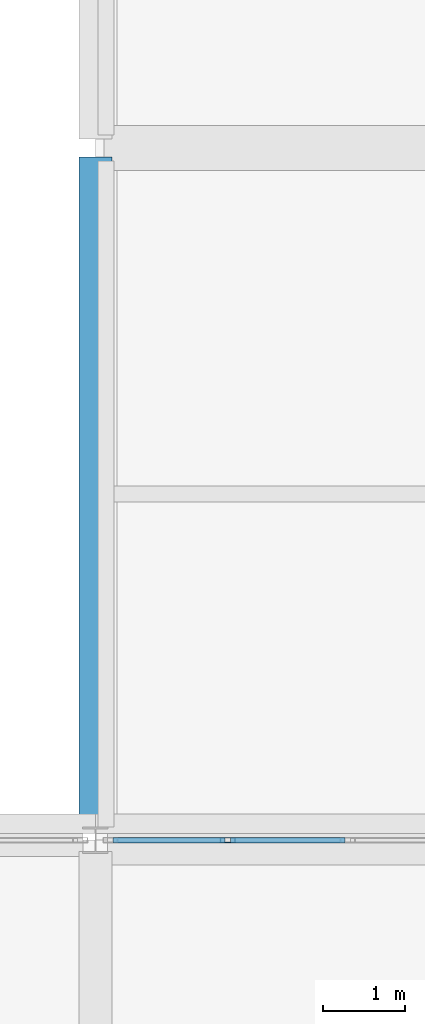
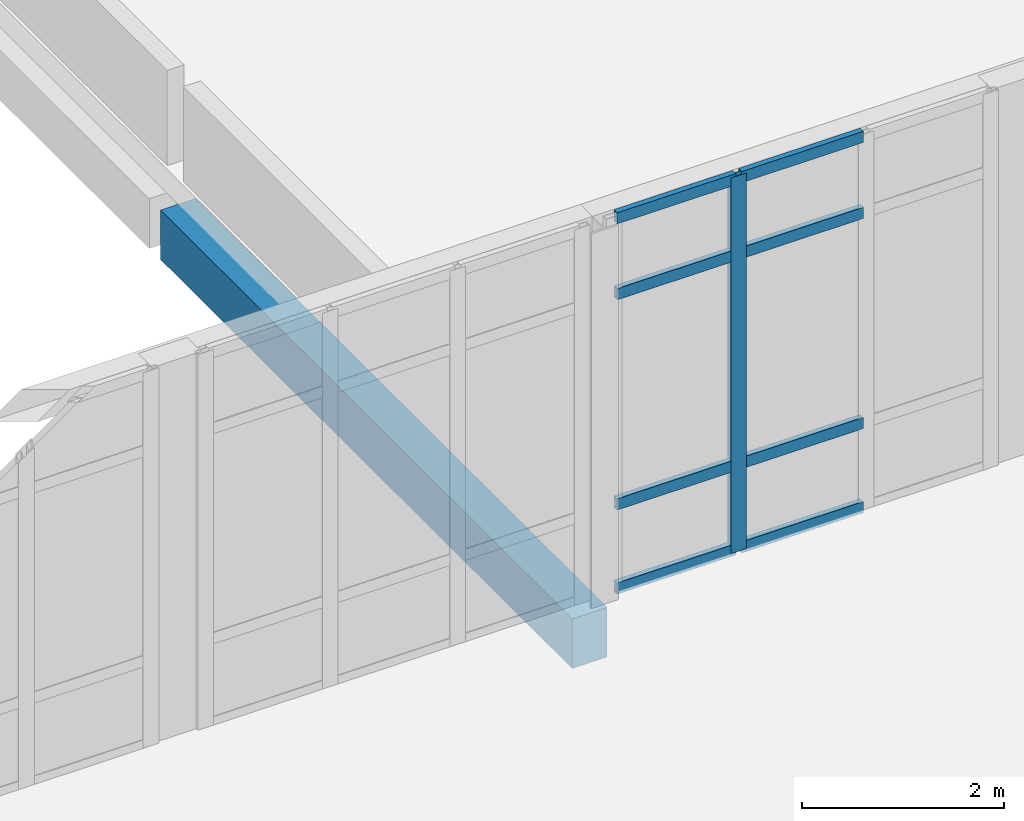
# One storey, part 15 of 88: 9 members, 1 beam, 1 element without a shape of its own.
"""IFC4 building model written with IfcOpenShell, lengths in metres."""

from ifc_helpers import new_model, si_unit, direction, frame, origin, origin_2d, place, context, subcontext, project, spatial, rectangle, hollow_rectangle, extrude, material, layer, layer_set, material_profile, profile_set, type_object, element, aggregate, save


model = new_model("IFC4")

# Units and contexts
model_context = context("Model", 3, precision=1e-05, world=origin(), true_north=direction((0.0, 1.0)))
body_context = subcontext(model_context, "Body", "Model", "MODEL_VIEW")
ifc_project = project(units=[si_unit("LENGTHUNIT", "METRE"), si_unit("AREAUNIT", "SQUARE_METRE"), si_unit("VOLUMEUNIT", "CUBIC_METRE"), si_unit("PLANEANGLEUNIT", "RADIAN"), si_unit("MASSUNIT", "GRAM", prefix="KILO")], contexts=[model_context])

# Site, building, storey
site_placement = place(None, origin())
site = spatial("IfcSite", under=ifc_project, at=site_placement, CompositionType="ELEMENT")
building_placement = place(site_placement, origin())
building = spatial("IfcBuilding", under=site, at=building_placement, Name="Lornevale Opera House", CompositionType="ELEMENT")
storey_placement = place(building_placement, frame((0.0, 0.0, 10.199951171875)))
storey = spatial("IfcBuildingStorey", under=building, at=storey_placement, Name="L03", CompositionType="ELEMENT", Elevation=10.199951171875)

# Beam
ifc_material_1 = material(Name="Concrete 35 MPa (CSA A23.1 N)", Category="concrete")
ifc_material_profile_1 = material_profile(ifc_material_1, rectangle(XDim=0.39990234375, YDim=0.60009765625, at=origin_2d()), Name="RC400x600")
ifc_profile_set_1 = profile_set([ifc_material_profile_1], Name="Concrete 35 MPa (CSA A23.1 N)")
beam_type = type_object("IfcBeamType", Name="Concrete Spandrel Beam 400x600", PredefinedType="SPANDREL", material=ifc_profile_set_1)
beam_placement = place(storey_placement, frame((28.800048828125, 25.33740234375, -0.58984375), z_axis=(0.0, 1.0, 0.0), x_axis=(-1.0, 0.0, 0.0)))
element("IfcBeam", 1, at=beam_placement, inside=storey, type_object=beam_type, Name="Concrete Spandrel Beam 400x600 2248", PredefinedType="SPANDREL", context=body_context, shape_type="SweptSolid", body=[
    extrude(rectangle(XDim=0.39990234375, YDim=0.60009765625, at=origin_2d()), origin(), (0.0, 0.0, 1.0), 8.151123046875),
])

# Curtain wall, members
ifc_material_2 = material(Name="Anodized Oxide-Green Aluminium Framing", Category="aluminium")
ifc_layer = layer(ifc_material_2, 0.175048828125)
ifc_layer_set = layer_set([ifc_layer], Name="Anodized Oxide-Green Aluminium Framing")
curtain_wall_type = type_object("IfcCurtainWallType", Name="Chamber Cloister Curtain Wall M1700", PredefinedType="NOTDEFINED", material=ifc_layer_set)
curtain_wall_placement = place(storey_placement, origin())
curtain_wall = element("IfcCurtainWall", 2, at=curtain_wall_placement, inside=storey, type_object=curtain_wall_type, Name="Chamber Cloister Curtain Wall M1700 CW-122", PredefinedType="NOTDEFINED")
ifc_material_profile_2 = material_profile(ifc_material_2, hollow_rectangle(XDim=0.06494140625, YDim=0.179931640625, WallThickness=0.0048828125, at=origin_2d()), Name="ALU65x180x5")
ifc_profile_set_2 = profile_set([ifc_material_profile_2], Name="Anodized Oxide-Green Aluminium Framing")
member_type_1 = type_object("IfcMemberType", Name="Curtain Wall Mullion 65x180", PredefinedType="MULLION", material=ifc_profile_set_2)
member_1_placement = place(storey_placement, frame((30.406982421875, 25.199951171875, 0.0), z_axis=(0.0, 0.0, 1.0), x_axis=(0.0, 1.0, 0.0)))
member_1 = element("IfcMember", 3, at=member_1_placement, type_object=member_type_1, Name="Curtain Wall Mullion 65x180 CW2531", PredefinedType="MULLION", context=body_context, shape_type="SweptSolid", body=[
    extrude(hollow_rectangle(XDim=0.06494140625, YDim=0.179931640625, WallThickness=0.0048828125, at=origin_2d()), origin(), (0.0, 0.0, 1.0), 4.5400390625),
])
ifc_material_profile_3 = material_profile(ifc_material_2, hollow_rectangle(XDim=0.06494140625, YDim=0.135009765625, WallThickness=0.00390625, at=origin_2d()), Name="ALU65x135x4")
ifc_profile_set_3 = profile_set([ifc_material_profile_3], Name="Anodized Oxide-Green Aluminium Framing")
member_type_2 = type_object("IfcMemberType", Name="Curtain Wall Transom 65x135", PredefinedType="USERDEFINED", material=ifc_profile_set_3)
member_2_placement = place(storey_placement, frame((29.015380859375, 25.199951171875, 0.032470703125), z_axis=(1.0, 0.0, 0.0), x_axis=(0.0, 1.0, 0.0)))
member_2 = element("IfcMember", 4, at=member_2_placement, type_object=member_type_2, Name="Curtain Wall Transom 65x135 CW2534", ObjectType="TRANSOM", PredefinedType="USERDEFINED", context=body_context, shape_type="SweptSolid", body=[
    extrude(hollow_rectangle(XDim=0.06494140625, YDim=0.135009765625, WallThickness=0.00390625, at=origin_2d()), origin(), (0.0, 0.0, 1.0), 1.359130859375),
])
member_3_placement = place(storey_placement, frame((29.015380859375, 25.199951171875, 1.050048828125), z_axis=(1.0, 0.0, 0.0), x_axis=(0.0, 1.0, 0.0)))
member_3 = element("IfcMember", 5, at=member_3_placement, type_object=member_type_2, Name="Curtain Wall Transom 65x135 CW2535", ObjectType="TRANSOM", PredefinedType="USERDEFINED", context=body_context, shape_type="SweptSolid", body=[
    extrude(hollow_rectangle(XDim=0.06494140625, YDim=0.135009765625, WallThickness=0.00390625, at=origin_2d()), origin(), (0.0, 0.0, 1.0), 1.359130859375),
])
member_4_placement = place(storey_placement, frame((29.015380859375, 25.199951171875, 3.590087890625), z_axis=(1.0, 0.0, 0.0), x_axis=(0.0, 1.0, 0.0)))
member_4 = element("IfcMember", 6, at=member_4_placement, type_object=member_type_2, Name="Curtain Wall Transom 65x135 CW2536", ObjectType="TRANSOM", PredefinedType="USERDEFINED", context=body_context, shape_type="SweptSolid", body=[
    extrude(hollow_rectangle(XDim=0.06494140625, YDim=0.135009765625, WallThickness=0.00390625, at=origin_2d()), origin(), (0.0, 0.0, 1.0), 1.359130859375),
])
member_5_placement = place(storey_placement, frame((29.015380859375, 25.199951171875, 4.507568359375), z_axis=(1.0, 0.0, 0.0), x_axis=(0.0, 1.0, 0.0)))
member_5 = element("IfcMember", 7, at=member_5_placement, type_object=member_type_2, Name="Curtain Wall Transom 65x135 CW2537", ObjectType="TRANSOM", PredefinedType="USERDEFINED", context=body_context, shape_type="SweptSolid", body=[
    extrude(hollow_rectangle(XDim=0.06494140625, YDim=0.135009765625, WallThickness=0.00390625, at=origin_2d()), origin(), (0.0, 0.0, 1.0), 1.359130859375),
])
member_6_placement = place(storey_placement, frame((30.439453125, 25.199951171875, 0.032470703125), z_axis=(1.0, 0.0, 0.0), x_axis=(0.0, 1.0, 0.0)))
member_6 = element("IfcMember", 8, at=member_6_placement, type_object=member_type_2, Name="Curtain Wall Transom 65x135 CW2541", ObjectType="TRANSOM", PredefinedType="USERDEFINED", context=body_context, shape_type="SweptSolid", body=[
    extrude(hollow_rectangle(XDim=0.06494140625, YDim=0.135009765625, WallThickness=0.00390625, at=origin_2d()), origin(), (0.0, 0.0, 1.0), 1.3916015625),
])
member_7_placement = place(storey_placement, frame((30.439453125, 25.199951171875, 1.050048828125), z_axis=(1.0, 0.0, 0.0), x_axis=(0.0, 1.0, 0.0)))
member_7 = element("IfcMember", 9, at=member_7_placement, type_object=member_type_2, Name="Curtain Wall Transom 65x135 CW2542", ObjectType="TRANSOM", PredefinedType="USERDEFINED", context=body_context, shape_type="SweptSolid", body=[
    extrude(hollow_rectangle(XDim=0.06494140625, YDim=0.135009765625, WallThickness=0.00390625, at=origin_2d()), origin(), (0.0, 0.0, 1.0), 1.3916015625),
])
member_8_placement = place(storey_placement, frame((30.439453125, 25.199951171875, 3.590087890625), z_axis=(1.0, 0.0, 0.0), x_axis=(0.0, 1.0, 0.0)))
member_8 = element("IfcMember", 10, at=member_8_placement, type_object=member_type_2, Name="Curtain Wall Transom 65x135 CW2543", ObjectType="TRANSOM", PredefinedType="USERDEFINED", context=body_context, shape_type="SweptSolid", body=[
    extrude(hollow_rectangle(XDim=0.06494140625, YDim=0.135009765625, WallThickness=0.00390625, at=origin_2d()), origin(), (0.0, 0.0, 1.0), 1.3916015625),
])
member_9_placement = place(storey_placement, frame((30.439453125, 25.199951171875, 4.507568359375), z_axis=(1.0, 0.0, 0.0), x_axis=(0.0, 1.0, 0.0)))
member_9 = element("IfcMember", 11, at=member_9_placement, type_object=member_type_2, Name="Curtain Wall Transom 65x135 CW2544", ObjectType="TRANSOM", PredefinedType="USERDEFINED", context=body_context, shape_type="SweptSolid", body=[
    extrude(hollow_rectangle(XDim=0.06494140625, YDim=0.135009765625, WallThickness=0.00390625, at=origin_2d()), origin(), (0.0, 0.0, 1.0), 1.3916015625),
])
aggregate(curtain_wall, [member_1, member_2, member_3, member_4, member_5, member_6, member_7, member_8, member_9])

save(model, "model.ifc")
